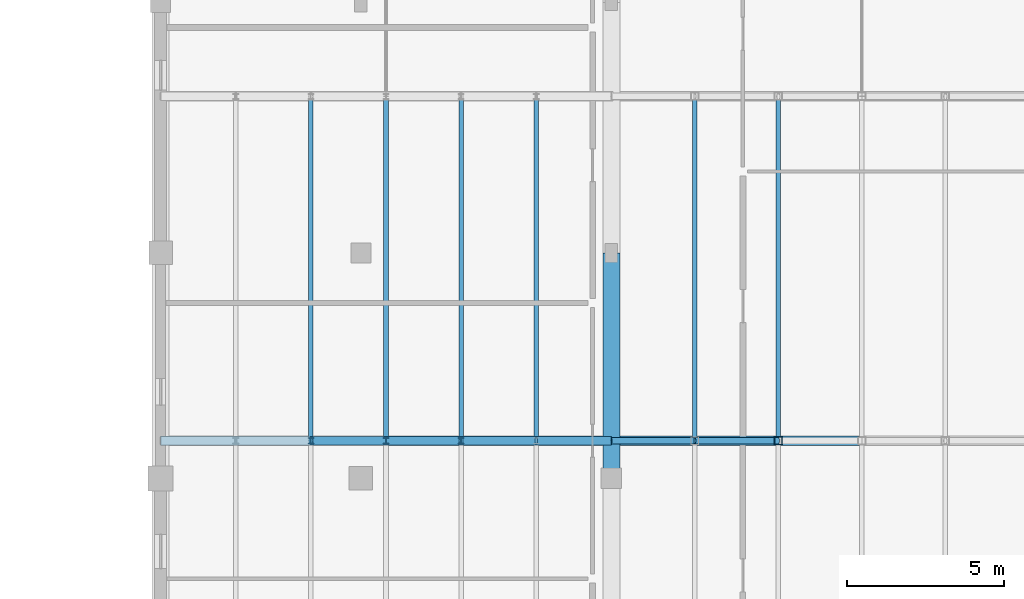
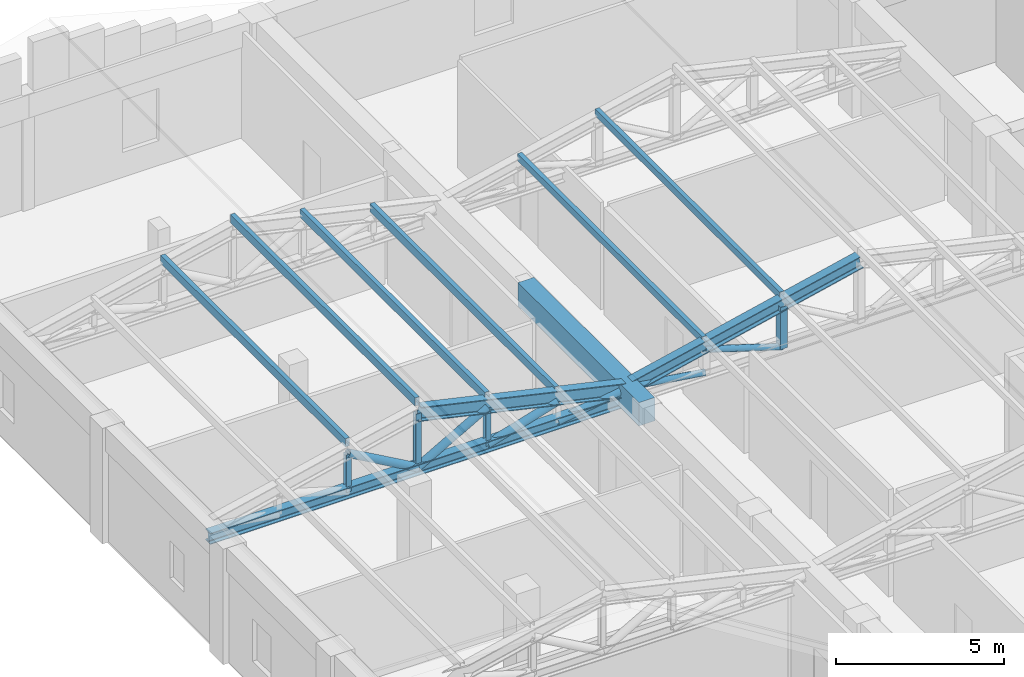
# One storey, part 5 of 35: 19 members, 1 beam.
"""IFC4 building model written with IfcOpenShell, lengths in metres."""

from ifc_helpers import new_model, si_unit, direction, frame, origin, origin_2d, place, context, subcontext, project, spatial, rectangle, hollow_rectangle, hollow_circle, i_section, extrude, material, material_profile, profile_set, type_object, element, save


model = new_model("IFC4")

# Units and contexts
model_context = context("Model", 3, precision=1e-05, world=origin(), true_north=direction((0.0, 1.0)))
body_context = subcontext(model_context, "Body", "Model", "MODEL_VIEW")
ifc_project = project(units=[si_unit("LENGTHUNIT", "METRE"), si_unit("AREAUNIT", "SQUARE_METRE"), si_unit("VOLUMEUNIT", "CUBIC_METRE"), si_unit("PLANEANGLEUNIT", "RADIAN"), si_unit("MASSUNIT", "GRAM", prefix="KILO")], contexts=[model_context])

# Site, building, storey
site_placement = place(None, origin())
site = spatial("IfcSite", under=ifc_project, at=site_placement, CompositionType="ELEMENT")
building_placement = place(site_placement, origin())
building = spatial("IfcBuilding", under=site, at=building_placement, Name="Vellmiral Cinema and Media Centre", CompositionType="ELEMENT")
storey_placement = place(building_placement, frame((0.0, 0.0, 15.60009765625)))
storey = spatial("IfcBuildingStorey", under=building, at=storey_placement, Name="L03", CompositionType="ELEMENT", Elevation=15.60009765625)

# Members
ifc_material_1 = material(Name="Steel S355", Category="steel")
ifc_material_profile_1 = material_profile(ifc_material_1, hollow_rectangle(XDim=0.14990234375, YDim=0.25, WallThickness=0.010009765625, at=origin_2d()), Name="RHS 250x150x10.0")
ifc_profile_set_1 = profile_set([ifc_material_profile_1], Name="Steel S355")
member_type_1 = type_object("IfcMemberType", Name="PRL-RHS250", PredefinedType="PURLIN", material=ifc_profile_set_1)
for number, where, z_axis, x_axis, name in (
    (1, (65.066650390625, 73.199951171875, 4.7294921875), (0.0, 1.0, 0.0), (-1.0, 0.0, 0.0), "Roof Purlin VR-08E.1.2"),
    (2, (67.7333984375, 73.199951171875, 5.419189453125), (0.0, 1.0, 0.0), (-1.0, 0.0, 0.0), "Roof Purlin VR-08E.2.2"),
):
    element("IfcMember", number, at=place(storey_placement, frame(where, z_axis=z_axis, x_axis=x_axis)), inside=storey, type_object=member_type_1, Name=name, PredefinedType="PURLIN", context=body_context, shape_type="SweptSolid", body=[
        extrude(hollow_rectangle(XDim=0.14990234375, YDim=0.25, WallThickness=0.010009765625, at=origin_2d()), origin(), (0.0, 0.0, 1.0), 11.0),
    ])
ifc_material_2 = material(Name="Steel S355", Category="steel")
ifc_material_profile_2 = material_profile(ifc_material_2, hollow_rectangle(XDim=0.14990234375, YDim=0.300048828125, WallThickness=0.010009765625, at=origin_2d()), Name="RHS 300x150x10.0")
ifc_profile_set_2 = profile_set([ifc_material_profile_2], Name="Steel S355")
member_type_2 = type_object("IfcMemberType", Name="PRL-RHS300", PredefinedType="PURLIN", material=ifc_profile_set_2)
for number, where, z_axis, x_axis, name in (
    (3, (52.800048828125, 73.199951171875, 5.301025390625), (0.0, 1.0, 0.0), (-1.0, 0.0, 0.0), "Roof Purlin VR-08W.2.2"),
    (4, (55.199951171875, 73.199951171875, 5.944091796875), (0.0, 1.0, 0.0), (-1.0, 0.0, 0.0), "Roof Purlin VR-08W.3.2"),
    (5, (57.60009765625, 73.199951171875, 5.301025390625), (0.0, 1.0, 0.0), (-1.0, 0.0, 0.0), "Roof Purlin VR-08W.4.2"),
    (6, (60.0, 73.199951171875, 4.657958984375), (0.0, 1.0, 0.0), (-1.0, 0.0, 0.0), "Roof Purlin VR-08W.5.2"),
):
    element("IfcMember", number, at=place(storey_placement, frame(where, z_axis=z_axis, x_axis=x_axis)), inside=storey, type_object=member_type_2, Name=name, PredefinedType="PURLIN", context=body_context, shape_type="SweptSolid", body=[
        extrude(hollow_rectangle(XDim=0.14990234375, YDim=0.300048828125, WallThickness=0.010009765625, at=origin_2d()), origin(), (0.0, 0.0, 1.0), 11.0),
    ])

# Beam
ifc_material_3 = material(Name="Concrete C40/50", Category="concrete")
ifc_material_profile_3 = material_profile(ifc_material_3, rectangle(XDim=0.550048828125, YDim=0.85009765625, at=origin_2d()), Name="RC 550x850")
ifc_profile_set_3 = profile_set([ifc_material_profile_3], Name="Concrete C40/50")
beam_type = type_object("IfcBeamType", Name="RING-BM-550x850", PredefinedType="BEAM", material=ifc_profile_set_3)
beam_placement = place(storey_placement, frame((62.39990234375, 72.0, 3.77490234375), z_axis=(0.0, 1.0, 0.0), x_axis=(-1.0, 0.0, 0.0)))
element("IfcBeam", 7, at=beam_placement, inside=storey, type_object=beam_type, Name="Central Media Library West Barrel Vault Ring Beam 14", PredefinedType="BEAM", context=body_context, shape_type="SweptSolid", body=[
    extrude(rectangle(XDim=0.550048828125, YDim=0.85009765625, at=origin_2d()), origin(), (0.0, 0.0, 1.0), 7.199951171875),
])

# Members
ifc_material_4 = material(Name="Steel S355", Category="steel")
ifc_material_profile_4 = material_profile(ifc_material_4, hollow_circle(Radius=0.109619140625, WallThickness=0.010009765625, at=origin_2d()), Name="CHS 219.1x10.0")
ifc_profile_set_4 = profile_set([ifc_material_profile_4], Name="Steel S355")
member_type_3 = type_object("IfcMemberType", Name="TBR-CHS219", PredefinedType="BRACE", material=ifc_profile_set_4)
member_1_placement = place(storey_placement, frame((62.39990234375, 73.199951171875, 3.94482421875), z_axis=(0.989206379584, 0.0, -0.146528968431), x_axis=(0.0, 1.0, 0.0)))
element("IfcMember", 8, at=member_1_placement, inside=storey, type_object=member_type_3, Name="Roof Truss TR-08B.2 Diagonal 1", PredefinedType="BRACE", context=body_context, shape_type="SweptSolid", body=[
    extrude(hollow_circle(Radius=0.109619140625, WallThickness=0.010009765625, at=origin_2d()), origin(), (0.0, 0.0, 1.0), 2.69580078125),
])
member_2_placement = place(storey_placement, frame((65.066650390625, 73.199951171875, 4.389404296875), z_axis=(0.953842302692, 0.0, -0.300307944608), x_axis=(0.0, 1.0, 0.0)))
element("IfcMember", 9, at=member_2_placement, inside=storey, type_object=member_type_3, Name="Roof Truss TR-08B.2 Diagonal 2", PredefinedType="BRACE", context=body_context, shape_type="SweptSolid", body=[
    extrude(hollow_circle(Radius=0.109619140625, WallThickness=0.010009765625, at=origin_2d()), origin(), (0.0, 0.0, 1.0), 2.7958984375),
])
ifc_material_5 = material(Name="Steel S355", Category="steel")
ifc_material_profile_5 = material_profile(ifc_material_5, hollow_circle(Radius=0.136474609375, WallThickness=0.012451171875, at=origin_2d()), Name="CHS 273.0x12.5")
ifc_profile_set_5 = profile_set([ifc_material_profile_5], Name="Steel S355")
member_type_4 = type_object("IfcMemberType", Name="TBR-CHS273", PredefinedType="BRACE", material=ifc_profile_set_5)
member_3_placement = place(storey_placement, frame((52.800048828125, 73.199951171875, 4.9111328125), z_axis=(0.869807030315, 0.0, -0.493392065212), x_axis=(0.0, 1.0, 0.0)))
element("IfcMember", 10, at=member_3_placement, inside=storey, type_object=member_type_4, Name="Roof Truss TR-08.2 Diagonal 3", PredefinedType="BRACE", context=body_context, shape_type="SweptSolid", body=[
    extrude(hollow_circle(Radius=0.136474609375, WallThickness=0.012451171875, at=origin_2d()), origin(), (0.0, 0.0, 1.0), 2.759033203125),
])
member_4_placement = place(storey_placement, frame((55.199951171875, 73.199951171875, 3.5498046875), z_axis=(0.869828568226, 0.0, 0.493354093829), x_axis=(0.0, 1.0, 0.0)))
element("IfcMember", 11, at=member_4_placement, inside=storey, type_object=member_type_4, Name="Roof Truss TR-08.2 Diagonal 4", PredefinedType="BRACE", context=body_context, shape_type="SweptSolid", body=[
    extrude(hollow_circle(Radius=0.136474609375, WallThickness=0.012451171875, at=origin_2d()), origin(), (0.0, 0.0, 1.0), 2.75927734375),
])
member_5_placement = place(storey_placement, frame((57.60009765625, 73.199951171875, 3.5498046875), z_axis=(0.958013844189, 0.0, 0.286721946043), x_axis=(0.0, 1.0, 0.0)))
element("IfcMember", 12, at=member_5_placement, inside=storey, type_object=member_type_4, Name="Roof Truss TR-08.2 Diagonal 5", PredefinedType="BRACE", context=body_context, shape_type="SweptSolid", body=[
    extrude(hollow_circle(Radius=0.136474609375, WallThickness=0.012451171875, at=origin_2d()), origin(), (0.0, 0.0, 1.0), 2.505126953125),
])
member_6_placement = place(storey_placement, frame((60.0, 73.199951171875, 3.5498046875), z_axis=(0.988315839708, 0.0, 0.152419818209), x_axis=(0.0, 1.0, 0.0)))
element("IfcMember", 13, at=member_6_placement, inside=storey, type_object=member_type_4, Name="Roof Truss TR-08.2 Diagonal 6", PredefinedType="BRACE", context=body_context, shape_type="SweptSolid", body=[
    extrude(hollow_circle(Radius=0.136474609375, WallThickness=0.012451171875, at=origin_2d()), origin(), (0.0, 0.0, 1.0), 2.42822265625),
])
ifc_material_6 = material(Name="Steel S355", Category="steel")
ifc_material_profile_6 = material_profile(ifc_material_6, i_section(OverallWidth=0.179931640625, OverallDepth=0.179931640625, WebThickness=0.008544921875, FlangeThickness=0.013916015625, FilletRadius=0.014892578125, at=origin_2d()), Name="HEB 180")
ifc_profile_set_6 = profile_set([ifc_material_profile_6], Name="Steel S355")
member_type_5 = type_object("IfcMemberType", Name="TBR-HEB180", PredefinedType="BRACE", material=ifc_profile_set_6)
member_7_placement = place(storey_placement, frame((52.800048828125, 73.199951171875, 3.5498046875), z_axis=(0.0, 0.0, 1.0), x_axis=(1.0, 0.0, 0.0)))
element("IfcMember", 14, at=member_7_placement, inside=storey, type_object=member_type_5, Name="Roof Truss TR-08.2 Post 2", PredefinedType="BRACE", context=body_context, shape_type="SweptSolid", body=[
    extrude(i_section(OverallWidth=0.179931640625, OverallDepth=0.179931640625, WebThickness=0.008544921875, FlangeThickness=0.013916015625, FilletRadius=0.014892578125, at=origin_2d()), origin(), (0.0, 0.0, 1.0), 1.361328125),
])
member_8_placement = place(storey_placement, frame((55.199951171875, 73.199951171875, 3.5498046875), z_axis=(0.0, 0.0, 1.0), x_axis=(1.0, 0.0, 0.0)))
element("IfcMember", 15, at=member_8_placement, inside=storey, type_object=member_type_5, Name="Roof Truss TR-08.2 Post 3", PredefinedType="BRACE", context=body_context, shape_type="SweptSolid", body=[
    extrude(i_section(OverallWidth=0.179931640625, OverallDepth=0.179931640625, WebThickness=0.008544921875, FlangeThickness=0.013916015625, FilletRadius=0.014892578125, at=origin_2d()), origin(), (0.0, 0.0, 1.0), 2.00439453125),
])
member_9_placement = place(storey_placement, frame((57.60009765625, 73.199951171875, 3.5498046875), z_axis=(0.0, 0.0, 1.0), x_axis=(1.0, 0.0, 0.0)))
element("IfcMember", 16, at=member_9_placement, inside=storey, type_object=member_type_5, Name="Roof Truss TR-08.2 Post 4", PredefinedType="BRACE", context=body_context, shape_type="SweptSolid", body=[
    extrude(i_section(OverallWidth=0.179931640625, OverallDepth=0.179931640625, WebThickness=0.008544921875, FlangeThickness=0.013916015625, FilletRadius=0.014892578125, at=origin_2d()), origin(), (0.0, 0.0, 1.0), 1.361328125),
])
ifc_material_7 = material(Name="Steel S355", Category="steel")
ifc_material_profile_7 = material_profile(ifc_material_7, hollow_rectangle(XDim=0.25, YDim=0.25, WallThickness=0.012451171875, at=origin_2d()), Name="SHS 250x250x12.5")
ifc_profile_set_7 = profile_set([ifc_material_profile_7], Name="Steel S355")
member_type_6 = type_object("IfcMemberType", Name="TBR-SHS250", PredefinedType="BRACE", material=ifc_profile_set_7)
member_10_placement = place(storey_placement, frame((67.7333984375, 73.199951171875, 3.5498046875), z_axis=(0.0, 0.0, 1.0), x_axis=(1.0, 0.0, 0.0)))
element("IfcMember", 17, at=member_10_placement, inside=storey, type_object=member_type_6, Name="Roof Truss TR-08B.2 Post 2", PredefinedType="BRACE", context=body_context, shape_type="SweptSolid", body=[
    extrude(hollow_rectangle(XDim=0.25, YDim=0.25, WallThickness=0.012451171875, at=origin_2d()), origin(), (0.0, 0.0, 1.0), 1.529296875),
])
ifc_material_8 = material(Name="Steel S355", Category="steel")
ifc_material_profile_8 = material_profile(ifc_material_8, i_section(OverallWidth=0.300048828125, OverallDepth=0.39990234375, WebThickness=0.013427734375, FlangeThickness=0.02392578125, FilletRadius=0.027099609375, at=origin_2d()), Name="HEB 400")
ifc_profile_set_8 = profile_set([ifc_material_profile_8], Name="Steel S355")
member_type_7 = type_object("IfcMemberType", Name="TCH-HEB400", PredefinedType="CHORD", material=ifc_profile_set_8)
member_11_placement = place(storey_placement, frame((48.0, 73.199951171875, 3.5498046875), z_axis=(1.0, 0.0, 0.0), x_axis=(0.0, 1.0, 0.0)))
element("IfcMember", 18, at=member_11_placement, inside=storey, type_object=member_type_7, Name="Roof Truss TR-08.2 Bottom Chord", PredefinedType="CHORD", context=body_context, shape_type="SweptSolid", body=[
    extrude(i_section(OverallWidth=0.300048828125, OverallDepth=0.39990234375, WebThickness=0.013427734375, FlangeThickness=0.02392578125, FilletRadius=0.027099609375, at=origin_2d()), origin(), (0.0, 0.0, 1.0), 14.39990234375),
])
ifc_material_9 = material(Name="Steel S355", Category="steel")
ifc_material_profile_9 = material_profile(ifc_material_9, i_section(OverallWidth=0.300048828125, OverallDepth=0.449951171875, WebThickness=0.013916015625, FlangeThickness=0.02587890625, FilletRadius=0.027099609375, at=origin_2d()), Name="HEB 450")
ifc_profile_set_9 = profile_set([ifc_material_profile_9], Name="Steel S355")
member_type_8 = type_object("IfcMemberType", Name="TCH-HEB450", PredefinedType="CHORD", material=ifc_profile_set_9)
member_12_placement = place(storey_placement, frame((62.39990234375, 73.199951171875, 3.94482421875), z_axis=(0.974980054938, 0.0, 0.222292358107), x_axis=(0.0, 1.0, 0.0)))
element("IfcMember", 19, at=member_12_placement, inside=storey, type_object=member_type_8, Name="Roof Truss TR-08B.2 Top Chord W", PredefinedType="CHORD", context=body_context, shape_type="SweptSolid", body=[
    extrude(i_section(OverallWidth=0.300048828125, OverallDepth=0.449951171875, WebThickness=0.013916015625, FlangeThickness=0.02587890625, FilletRadius=0.027099609375, at=origin_2d()), origin(), (0.0, 0.0, 1.0), 8.205322265625),
])
ifc_material_10 = material(Name="Steel S355", Category="steel")
ifc_material_profile_10 = material_profile(ifc_material_10, i_section(OverallWidth=0.300048828125, OverallDepth=0.5, WebThickness=0.014404296875, FlangeThickness=0.028076171875, FilletRadius=0.027099609375, at=origin_2d()), Name="HEB 500")
ifc_profile_set_10 = profile_set([ifc_material_profile_10], Name="Steel S355")
member_type_9 = type_object("IfcMemberType", Name="TCH-HEB500", PredefinedType="CHORD", material=ifc_profile_set_10)
member_13_placement = place(storey_placement, frame((55.199951171875, 73.199951171875, 5.55419921875), z_axis=(0.975193562013, 0.0, -0.221353826731), x_axis=(0.0, 1.0, 0.0)))
element("IfcMember", 20, at=member_13_placement, inside=storey, type_object=member_type_9, Name="Roof Truss TR-08.2 Top Chord E", PredefinedType="CHORD", context=body_context, shape_type="SweptSolid", body=[
    extrude(i_section(OverallWidth=0.300048828125, OverallDepth=0.5, WebThickness=0.014404296875, FlangeThickness=0.028076171875, FilletRadius=0.027099609375, at=origin_2d()), origin(), (0.0, 0.0, 1.0), 7.383056640625),
])

save(model, "model.ifc")
